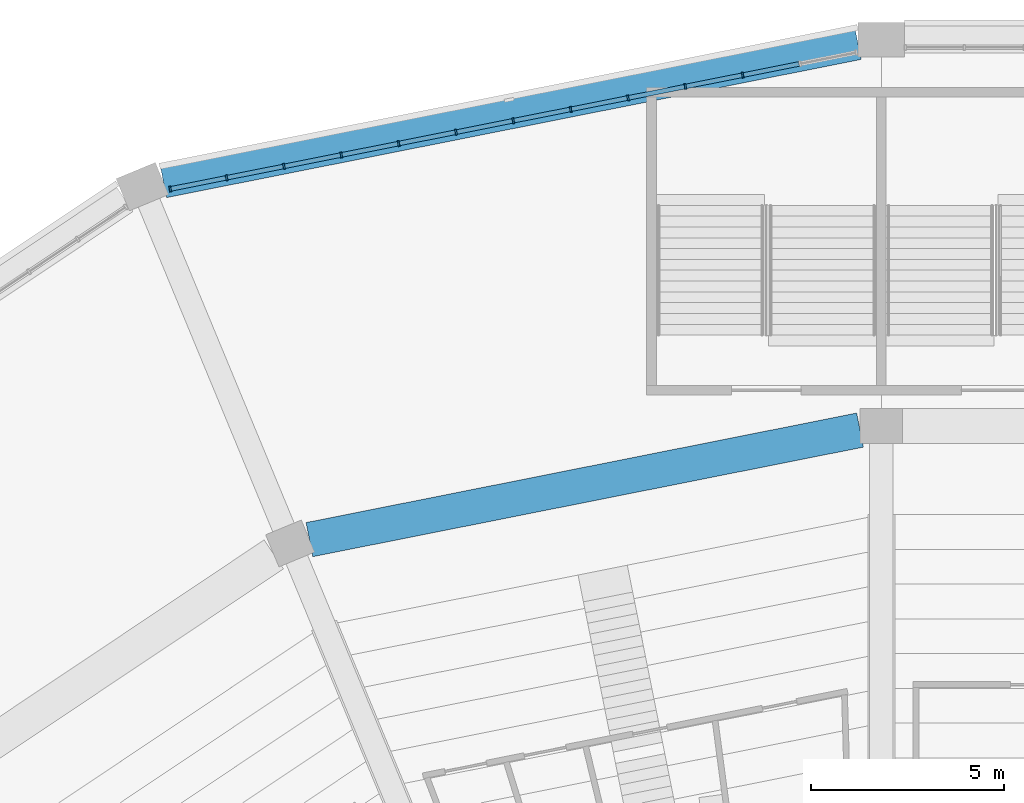
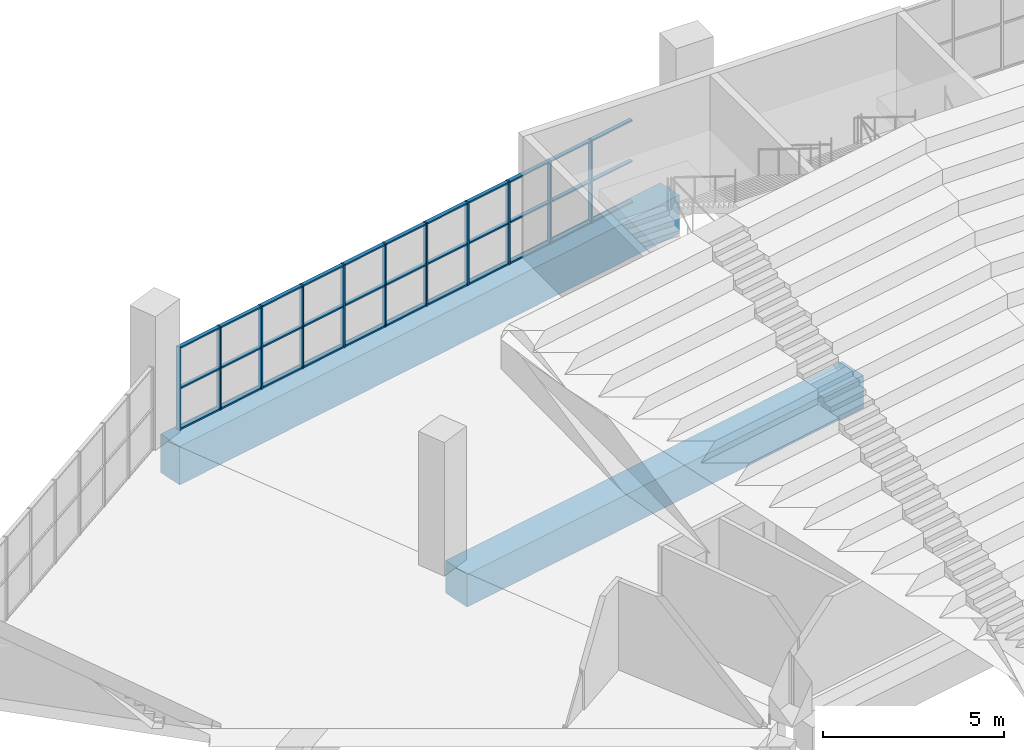
# One storey, part 49 of 249: 44 members, 2 beams, 1 element without a shape of its own.
"""IFC4 building model written with IfcOpenShell, lengths in metres."""

from ifc_helpers import new_model, si_unit, direction, frame, origin, origin_2d, place, context, subcontext, project, spatial, rectangle, extrude, material, material_profile, profile_set, type_object, element, aggregate, save


model = new_model("IFC4")

# Units and contexts
model_context = context("Model", 3, precision=1e-05, world=origin(), true_north=direction((0.0, 1.0)))
body_context = subcontext(model_context, "Body", "Model", "MODEL_VIEW")
ifc_project = project(units=[si_unit("LENGTHUNIT", "METRE"), si_unit("AREAUNIT", "SQUARE_METRE"), si_unit("VOLUMEUNIT", "CUBIC_METRE"), si_unit("PLANEANGLEUNIT", "RADIAN"), si_unit("MASSUNIT", "GRAM", prefix="KILO")], contexts=[model_context])

# Site, building, storey
site_placement = place(None, origin())
site = spatial("IfcSite", under=ifc_project, at=site_placement, CompositionType="ELEMENT")
building_placement = place(site_placement, origin())
building = spatial("IfcBuilding", under=site, at=building_placement, Name="Ogive Plaza Stadium", CompositionType="ELEMENT")
storey_placement = place(building_placement, frame((0.0, 0.0, 13.5)))
storey = spatial("IfcBuildingStorey", under=building, at=storey_placement, Name="L03", CompositionType="ELEMENT", Elevation=13.5)

# Curtain wall, members
ifc_material_1 = material(Name="Bronze-anodised aluminium with laminated glass", Category="aluminium")
curtain_wall_type = type_object("IfcCurtainWallType", Name="Lancet curtain wall", PredefinedType="NOTDEFINED", material=ifc_material_1)
curtain_wall_placement = place(storey_placement, origin())
curtain_wall = element("IfcCurtainWall", 1, at=curtain_wall_placement, inside=storey, type_object=curtain_wall_type, Name="CURTAIN WALL B31 L03", PredefinedType="NOTDEFINED")
ifc_material_2 = material(Name="Bronze-anodised aluminium", Category="aluminium")
ifc_material_profile_1 = material_profile(ifc_material_2, rectangle(XDim=0.14990234375, YDim=0.050048828125, at=origin_2d()), Name="AL 150x50")
ifc_profile_set_1 = profile_set([ifc_material_profile_1], Name="Bronze-anodised aluminium")
member_type_1 = type_object("IfcMemberType", Name="Curtain wall mullion 50x150", PredefinedType="MULLION", material=ifc_profile_set_1)
member_1_placement = place(storey_placement, frame((-52.412109375, 98.6337890625, 0.0), z_axis=(0.0, 0.0, 1.0), x_axis=(-0.195090322016, 0.980785280403, 0.0)))
member_1 = element("IfcMember", 2, at=member_1_placement, type_object=member_type_1, Name="CW-B31-L03 mullion 1", PredefinedType="MULLION", context=body_context, shape_type="SweptSolid", body=[
    extrude(rectangle(XDim=0.14990234375, YDim=0.050048828125, at=origin_2d()), origin(), (0.0, 0.0, 1.0), 2.7900390625),
])
member_2_placement = place(storey_placement, frame((-50.951904296875, 98.924072265625, 0.0), z_axis=(0.0, 0.0, 1.0), x_axis=(-0.195090322016, 0.980785280403, 0.0)))
member_2 = element("IfcMember", 3, at=member_2_placement, type_object=member_type_1, Name="CW-B31-L03 mullion 2", PredefinedType="MULLION", context=body_context, shape_type="SweptSolid", body=[
    extrude(rectangle(XDim=0.14990234375, YDim=0.050048828125, at=origin_2d()), origin(), (0.0, 0.0, 1.0), 2.7900390625),
])
member_3_placement = place(storey_placement, frame((-49.467041015625, 99.219482421875, 0.0), z_axis=(0.0, 0.0, 1.0), x_axis=(-0.195090322016, 0.980785280403, 0.0)))
member_3 = element("IfcMember", 4, at=member_3_placement, type_object=member_type_1, Name="CW-B31-L03 mullion 3", PredefinedType="MULLION", context=body_context, shape_type="SweptSolid", body=[
    extrude(rectangle(XDim=0.14990234375, YDim=0.050048828125, at=origin_2d()), origin(), (0.0, 0.0, 1.0), 2.7900390625),
])
member_4_placement = place(storey_placement, frame((-47.982421875, 99.514892578125, 0.0), z_axis=(0.0, 0.0, 1.0), x_axis=(-0.195090322016, 0.980785280403, 0.0)))
member_4 = element("IfcMember", 5, at=member_4_placement, type_object=member_type_1, Name="CW-B31-L03 mullion 4", PredefinedType="MULLION", context=body_context, shape_type="SweptSolid", body=[
    extrude(rectangle(XDim=0.14990234375, YDim=0.050048828125, at=origin_2d()), origin(), (0.0, 0.0, 1.0), 2.7900390625),
])
member_5_placement = place(storey_placement, frame((-46.49755859375, 99.81005859375, 0.0), z_axis=(0.0, 0.0, 1.0), x_axis=(-0.195090322016, 0.980785280403, 0.0)))
member_5 = element("IfcMember", 6, at=member_5_placement, type_object=member_type_1, Name="CW-B31-L03 mullion 5", PredefinedType="MULLION", context=body_context, shape_type="SweptSolid", body=[
    extrude(rectangle(XDim=0.14990234375, YDim=0.050048828125, at=origin_2d()), origin(), (0.0, 0.0, 1.0), 2.7900390625),
])
member_6_placement = place(storey_placement, frame((-45.012939453125, 100.10546875, 0.0), z_axis=(0.0, 0.0, 1.0), x_axis=(-0.195090322016, 0.980785280403, 0.0)))
member_6 = element("IfcMember", 7, at=member_6_placement, type_object=member_type_1, Name="CW-B31-L03 mullion 6", PredefinedType="MULLION", context=body_context, shape_type="SweptSolid", body=[
    extrude(rectangle(XDim=0.14990234375, YDim=0.050048828125, at=origin_2d()), origin(), (0.0, 0.0, 1.0), 2.7900390625),
])
member_7_placement = place(storey_placement, frame((-43.528076171875, 100.40087890625, 0.0), z_axis=(0.0, 0.0, 1.0), x_axis=(-0.195090322016, 0.980785280403, 0.0)))
member_7 = element("IfcMember", 8, at=member_7_placement, type_object=member_type_1, Name="CW-B31-L03 mullion 7", PredefinedType="MULLION", context=body_context, shape_type="SweptSolid", body=[
    extrude(rectangle(XDim=0.14990234375, YDim=0.050048828125, at=origin_2d()), origin(), (0.0, 0.0, 1.0), 2.7900390625),
])
member_8_placement = place(storey_placement, frame((-42.043212890625, 100.6962890625, 0.0), z_axis=(0.0, 0.0, 1.0), x_axis=(-0.195090322016, 0.980785280403, 0.0)))
member_8 = element("IfcMember", 9, at=member_8_placement, type_object=member_type_1, Name="CW-B31-L03 mullion 8", PredefinedType="MULLION", context=body_context, shape_type="SweptSolid", body=[
    extrude(rectangle(XDim=0.14990234375, YDim=0.050048828125, at=origin_2d()), origin(), (0.0, 0.0, 1.0), 2.7900390625),
])
member_9_placement = place(storey_placement, frame((-40.55859375, 100.991455078125, 0.0), z_axis=(0.0, 0.0, 1.0), x_axis=(-0.195090322016, 0.980785280403, 0.0)))
member_9 = element("IfcMember", 10, at=member_9_placement, type_object=member_type_1, Name="CW-B31-L03 mullion 9", PredefinedType="MULLION", context=body_context, shape_type="SweptSolid", body=[
    extrude(rectangle(XDim=0.14990234375, YDim=0.050048828125, at=origin_2d()), origin(), (0.0, 0.0, 1.0), 2.7900390625),
])
member_10_placement = place(storey_placement, frame((-39.07373046875, 101.286865234375, 0.0), z_axis=(0.0, 0.0, 1.0), x_axis=(-0.195090322016, 0.980785280403, 0.0)))
member_10 = element("IfcMember", 11, at=member_10_placement, type_object=member_type_1, Name="CW-B31-L03 mullion 10", PredefinedType="MULLION", context=body_context, shape_type="SweptSolid", body=[
    extrude(rectangle(XDim=0.14990234375, YDim=0.050048828125, at=origin_2d()), origin(), (0.0, 0.0, 1.0), 2.7900390625),
])
member_11_placement = place(storey_placement, frame((-37.589111328125, 101.582275390625, 0.0), z_axis=(0.0, 0.0, 1.0), x_axis=(-0.195090322016, 0.980785280403, 0.0)))
member_11 = element("IfcMember", 12, at=member_11_placement, type_object=member_type_1, Name="CW-B31-L03 mullion 11", PredefinedType="MULLION", context=body_context, shape_type="SweptSolid", body=[
    extrude(rectangle(XDim=0.14990234375, YDim=0.050048828125, at=origin_2d()), origin(), (0.0, 0.0, 1.0), 2.7900390625),
])
ifc_material_3 = material(Name="Bronze-anodised aluminium", Category="aluminium")
ifc_material_profile_2 = material_profile(ifc_material_3, rectangle(XDim=0.1201171875, YDim=0.050048828125, at=origin_2d()), Name="AL 120x50")
ifc_profile_set_2 = profile_set([ifc_material_profile_2], Name="Bronze-anodised aluminium")
member_type_2 = type_object("IfcMemberType", Name="Curtain wall transom 50x120", PredefinedType="USERDEFINED", material=ifc_profile_set_2)
member_12_placement = place(storey_placement, frame((-52.3876953125, 98.638671875, 0.02490234375), z_axis=(0.980814888552, 0.194941412722, 0.0), x_axis=(-0.194941412722, 0.980814888552, 0.0)))
member_12 = element("IfcMember", 13, at=member_12_placement, type_object=member_type_2, Name="CW-B31-L03 transom 1.1", ObjectType="TRANSOM", PredefinedType="USERDEFINED", context=body_context, shape_type="SweptSolid", body=[
    extrude(rectangle(XDim=0.1201171875, YDim=0.050048828125, at=origin_2d()), origin(), (0.0, 0.0, 1.0), 1.43896484375),
])
member_13_placement = place(storey_placement, frame((-52.3876953125, 98.638671875, 1.39501953125), z_axis=(0.980814888552, 0.194941412722, 0.0), x_axis=(-0.194941412722, 0.980814888552, 0.0)))
member_13 = element("IfcMember", 14, at=member_13_placement, type_object=member_type_2, Name="CW-B31-L03 transom 1.2", ObjectType="TRANSOM", PredefinedType="USERDEFINED", context=body_context, shape_type="SweptSolid", body=[
    extrude(rectangle(XDim=0.1201171875, YDim=0.050048828125, at=origin_2d()), origin(), (0.0, 0.0, 1.0), 1.43896484375),
])
member_14_placement = place(storey_placement, frame((-52.3876953125, 98.638671875, 2.764892578125), z_axis=(0.980814888552, 0.194941412722, 0.0), x_axis=(-0.194941412722, 0.980814888552, 0.0)))
member_14 = element("IfcMember", 15, at=member_14_placement, type_object=member_type_2, Name="CW-B31-L03 transom 1.3", ObjectType="TRANSOM", PredefinedType="USERDEFINED", context=body_context, shape_type="SweptSolid", body=[
    extrude(rectangle(XDim=0.1201171875, YDim=0.050048828125, at=origin_2d()), origin(), (0.0, 0.0, 1.0), 1.43896484375),
])
member_15_placement = place(storey_placement, frame((-50.92724609375, 98.928955078125, 0.02490234375), z_axis=(0.980772662828, 0.195153744134, 0.0), x_axis=(-0.195153744134, 0.980772662828, 0.0)))
member_15 = element("IfcMember", 16, at=member_15_placement, type_object=member_type_2, Name="CW-B31-L03 transom 2.1", ObjectType="TRANSOM", PredefinedType="USERDEFINED", context=body_context, shape_type="SweptSolid", body=[
    extrude(rectangle(XDim=0.1201171875, YDim=0.050048828125, at=origin_2d()), origin(), (0.0, 0.0, 1.0), 1.463623046875),
])
member_16_placement = place(storey_placement, frame((-50.92724609375, 98.928955078125, 1.39501953125), z_axis=(0.980772662828, 0.195153744134, 0.0), x_axis=(-0.195153744134, 0.980772662828, 0.0)))
member_16 = element("IfcMember", 17, at=member_16_placement, type_object=member_type_2, Name="CW-B31-L03 transom 2.2", ObjectType="TRANSOM", PredefinedType="USERDEFINED", context=body_context, shape_type="SweptSolid", body=[
    extrude(rectangle(XDim=0.1201171875, YDim=0.050048828125, at=origin_2d()), origin(), (0.0, 0.0, 1.0), 1.463623046875),
])
member_17_placement = place(storey_placement, frame((-50.92724609375, 98.928955078125, 2.764892578125), z_axis=(0.980772662828, 0.195153744134, 0.0), x_axis=(-0.195153744134, 0.980772662828, 0.0)))
member_17 = element("IfcMember", 18, at=member_17_placement, type_object=member_type_2, Name="CW-B31-L03 transom 2.3", ObjectType="TRANSOM", PredefinedType="USERDEFINED", context=body_context, shape_type="SweptSolid", body=[
    extrude(rectangle(XDim=0.1201171875, YDim=0.050048828125, at=origin_2d()), origin(), (0.0, 0.0, 1.0), 1.463623046875),
])
member_18_placement = place(storey_placement, frame((-49.442626953125, 99.224365234375, 0.02490234375), z_axis=(0.980779013771, 0.195121823859, 0.0), x_axis=(-0.195121823859, 0.980779013771, 0.0)))
member_18 = element("IfcMember", 19, at=member_18_placement, type_object=member_type_2, Name="CW-B31-L03 transom 3.1", ObjectType="TRANSOM", PredefinedType="USERDEFINED", context=body_context, shape_type="SweptSolid", body=[
    extrude(rectangle(XDim=0.1201171875, YDim=0.050048828125, at=origin_2d()), origin(), (0.0, 0.0, 1.0), 1.4638671875),
])
member_19_placement = place(storey_placement, frame((-49.442626953125, 99.224365234375, 1.39501953125), z_axis=(0.980779013771, 0.195121823859, 0.0), x_axis=(-0.195121823859, 0.980779013771, 0.0)))
member_19 = element("IfcMember", 20, at=member_19_placement, type_object=member_type_2, Name="CW-B31-L03 transom 3.2", ObjectType="TRANSOM", PredefinedType="USERDEFINED", context=body_context, shape_type="SweptSolid", body=[
    extrude(rectangle(XDim=0.1201171875, YDim=0.050048828125, at=origin_2d()), origin(), (0.0, 0.0, 1.0), 1.4638671875),
])
member_20_placement = place(storey_placement, frame((-49.442626953125, 99.224365234375, 2.764892578125), z_axis=(0.980779013771, 0.195121823859, 0.0), x_axis=(-0.195121823859, 0.980779013771, 0.0)))
member_20 = element("IfcMember", 21, at=member_20_placement, type_object=member_type_2, Name="CW-B31-L03 transom 3.3", ObjectType="TRANSOM", PredefinedType="USERDEFINED", context=body_context, shape_type="SweptSolid", body=[
    extrude(rectangle(XDim=0.1201171875, YDim=0.050048828125, at=origin_2d()), origin(), (0.0, 0.0, 1.0), 1.4638671875),
])
member_21_placement = place(storey_placement, frame((-47.957763671875, 99.519775390625, 0.02490234375), z_axis=(0.980804576136, 0.194993290732, 0.0), x_axis=(-0.194993290732, 0.980804576136, 0.0)))
member_21 = element("IfcMember", 22, at=member_21_placement, type_object=member_type_2, Name="CW-B31-L03 transom 4.1", ObjectType="TRANSOM", PredefinedType="USERDEFINED", context=body_context, shape_type="SweptSolid", body=[
    extrude(rectangle(XDim=0.1201171875, YDim=0.050048828125, at=origin_2d()), origin(), (0.0, 0.0, 1.0), 1.463623046875),
])
member_22_placement = place(storey_placement, frame((-47.957763671875, 99.519775390625, 1.39501953125), z_axis=(0.980804576136, 0.194993290732, 0.0), x_axis=(-0.194993290732, 0.980804576136, 0.0)))
member_22 = element("IfcMember", 23, at=member_22_placement, type_object=member_type_2, Name="CW-B31-L03 transom 4.2", ObjectType="TRANSOM", PredefinedType="USERDEFINED", context=body_context, shape_type="SweptSolid", body=[
    extrude(rectangle(XDim=0.1201171875, YDim=0.050048828125, at=origin_2d()), origin(), (0.0, 0.0, 1.0), 1.463623046875),
])
member_23_placement = place(storey_placement, frame((-47.957763671875, 99.519775390625, 2.764892578125), z_axis=(0.980804576136, 0.194993290732, 0.0), x_axis=(-0.194993290732, 0.980804576136, 0.0)))
member_23 = element("IfcMember", 24, at=member_23_placement, type_object=member_type_2, Name="CW-B31-L03 transom 4.3", ObjectType="TRANSOM", PredefinedType="USERDEFINED", context=body_context, shape_type="SweptSolid", body=[
    extrude(rectangle(XDim=0.1201171875, YDim=0.050048828125, at=origin_2d()), origin(), (0.0, 0.0, 1.0), 1.463623046875),
])
member_24_placement = place(storey_placement, frame((-46.47314453125, 99.81494140625, 0.02490234375), z_axis=(0.980779013771, 0.195121823859, 0.0), x_axis=(-0.195121823859, 0.980779013771, 0.0)))
member_24 = element("IfcMember", 25, at=member_24_placement, type_object=member_type_2, Name="CW-B31-L03 transom 5.1", ObjectType="TRANSOM", PredefinedType="USERDEFINED", context=body_context, shape_type="SweptSolid", body=[
    extrude(rectangle(XDim=0.1201171875, YDim=0.050048828125, at=origin_2d()), origin(), (0.0, 0.0, 1.0), 1.4638671875),
])
member_25_placement = place(storey_placement, frame((-46.47314453125, 99.81494140625, 1.39501953125), z_axis=(0.980779013771, 0.195121823859, 0.0), x_axis=(-0.195121823859, 0.980779013771, 0.0)))
member_25 = element("IfcMember", 26, at=member_25_placement, type_object=member_type_2, Name="CW-B31-L03 transom 5.2", ObjectType="TRANSOM", PredefinedType="USERDEFINED", context=body_context, shape_type="SweptSolid", body=[
    extrude(rectangle(XDim=0.1201171875, YDim=0.050048828125, at=origin_2d()), origin(), (0.0, 0.0, 1.0), 1.4638671875),
])
member_26_placement = place(storey_placement, frame((-46.47314453125, 99.81494140625, 2.764892578125), z_axis=(0.980779013771, 0.195121823859, 0.0), x_axis=(-0.195121823859, 0.980779013771, 0.0)))
member_26 = element("IfcMember", 27, at=member_26_placement, type_object=member_type_2, Name="CW-B31-L03 transom 5.3", ObjectType="TRANSOM", PredefinedType="USERDEFINED", context=body_context, shape_type="SweptSolid", body=[
    extrude(rectangle(XDim=0.1201171875, YDim=0.050048828125, at=origin_2d()), origin(), (0.0, 0.0, 1.0), 1.4638671875),
])
member_27_placement = place(storey_placement, frame((-44.98828125, 100.1103515625, 0.02490234375), z_axis=(0.980779013771, 0.195121823859, 0.0), x_axis=(-0.195121823859, 0.980779013771, 0.0)))
member_27 = element("IfcMember", 28, at=member_27_placement, type_object=member_type_2, Name="CW-B31-L03 transom 6.1", ObjectType="TRANSOM", PredefinedType="USERDEFINED", context=body_context, shape_type="SweptSolid", body=[
    extrude(rectangle(XDim=0.1201171875, YDim=0.050048828125, at=origin_2d()), origin(), (0.0, 0.0, 1.0), 1.4638671875),
])
member_28_placement = place(storey_placement, frame((-44.98828125, 100.1103515625, 1.39501953125), z_axis=(0.980779013771, 0.195121823859, 0.0), x_axis=(-0.195121823859, 0.980779013771, 0.0)))
member_28 = element("IfcMember", 29, at=member_28_placement, type_object=member_type_2, Name="CW-B31-L03 transom 6.2", ObjectType="TRANSOM", PredefinedType="USERDEFINED", context=body_context, shape_type="SweptSolid", body=[
    extrude(rectangle(XDim=0.1201171875, YDim=0.050048828125, at=origin_2d()), origin(), (0.0, 0.0, 1.0), 1.4638671875),
])
member_29_placement = place(storey_placement, frame((-44.98828125, 100.1103515625, 2.764892578125), z_axis=(0.980779013771, 0.195121823859, 0.0), x_axis=(-0.195121823859, 0.980779013771, 0.0)))
member_29 = element("IfcMember", 30, at=member_29_placement, type_object=member_type_2, Name="CW-B31-L03 transom 6.3", ObjectType="TRANSOM", PredefinedType="USERDEFINED", context=body_context, shape_type="SweptSolid", body=[
    extrude(rectangle(XDim=0.1201171875, YDim=0.050048828125, at=origin_2d()), origin(), (0.0, 0.0, 1.0), 1.4638671875),
])
member_30_placement = place(storey_placement, frame((-43.503662109375, 100.40576171875, 0.02490234375), z_axis=(0.980779013771, 0.195121823859, 0.0), x_axis=(-0.195121823859, 0.980779013771, 0.0)))
member_30 = element("IfcMember", 31, at=member_30_placement, type_object=member_type_2, Name="CW-B31-L03 transom 7.1", ObjectType="TRANSOM", PredefinedType="USERDEFINED", context=body_context, shape_type="SweptSolid", body=[
    extrude(rectangle(XDim=0.1201171875, YDim=0.050048828125, at=origin_2d()), origin(), (0.0, 0.0, 1.0), 1.4638671875),
])
member_31_placement = place(storey_placement, frame((-43.503662109375, 100.40576171875, 1.39501953125), z_axis=(0.980779013771, 0.195121823859, 0.0), x_axis=(-0.195121823859, 0.980779013771, 0.0)))
member_31 = element("IfcMember", 32, at=member_31_placement, type_object=member_type_2, Name="CW-B31-L03 transom 7.2", ObjectType="TRANSOM", PredefinedType="USERDEFINED", context=body_context, shape_type="SweptSolid", body=[
    extrude(rectangle(XDim=0.1201171875, YDim=0.050048828125, at=origin_2d()), origin(), (0.0, 0.0, 1.0), 1.4638671875),
])
member_32_placement = place(storey_placement, frame((-43.503662109375, 100.40576171875, 2.764892578125), z_axis=(0.980779013771, 0.195121823859, 0.0), x_axis=(-0.195121823859, 0.980779013771, 0.0)))
member_32 = element("IfcMember", 33, at=member_32_placement, type_object=member_type_2, Name="CW-B31-L03 transom 7.3", ObjectType="TRANSOM", PredefinedType="USERDEFINED", context=body_context, shape_type="SweptSolid", body=[
    extrude(rectangle(XDim=0.1201171875, YDim=0.050048828125, at=origin_2d()), origin(), (0.0, 0.0, 1.0), 1.4638671875),
])
member_33_placement = place(storey_placement, frame((-42.018798828125, 100.700927734375, 0.02490234375), z_axis=(0.980779013771, 0.195121823859, 0.0), x_axis=(-0.195121823859, 0.980779013771, 0.0)))
member_33 = element("IfcMember", 34, at=member_33_placement, type_object=member_type_2, Name="CW-B31-L03 transom 8.1", ObjectType="TRANSOM", PredefinedType="USERDEFINED", context=body_context, shape_type="SweptSolid", body=[
    extrude(rectangle(XDim=0.1201171875, YDim=0.050048828125, at=origin_2d()), origin(), (0.0, 0.0, 1.0), 1.4638671875),
])
member_34_placement = place(storey_placement, frame((-42.018798828125, 100.700927734375, 1.39501953125), z_axis=(0.980779013771, 0.195121823859, 0.0), x_axis=(-0.195121823859, 0.980779013771, 0.0)))
member_34 = element("IfcMember", 35, at=member_34_placement, type_object=member_type_2, Name="CW-B31-L03 transom 8.2", ObjectType="TRANSOM", PredefinedType="USERDEFINED", context=body_context, shape_type="SweptSolid", body=[
    extrude(rectangle(XDim=0.1201171875, YDim=0.050048828125, at=origin_2d()), origin(), (0.0, 0.0, 1.0), 1.4638671875),
])
member_35_placement = place(storey_placement, frame((-42.018798828125, 100.700927734375, 2.764892578125), z_axis=(0.980779013771, 0.195121823859, 0.0), x_axis=(-0.195121823859, 0.980779013771, 0.0)))
member_35 = element("IfcMember", 36, at=member_35_placement, type_object=member_type_2, Name="CW-B31-L03 transom 8.3", ObjectType="TRANSOM", PredefinedType="USERDEFINED", context=body_context, shape_type="SweptSolid", body=[
    extrude(rectangle(XDim=0.1201171875, YDim=0.050048828125, at=origin_2d()), origin(), (0.0, 0.0, 1.0), 1.4638671875),
])
member_36_placement = place(storey_placement, frame((-40.533935546875, 100.996337890625, 0.02490234375), z_axis=(0.980772662828, 0.195153744134, 0.0), x_axis=(-0.195153744134, 0.980772662828, 0.0)))
member_36 = element("IfcMember", 37, at=member_36_placement, type_object=member_type_2, Name="CW-B31-L03 transom 9.1", ObjectType="TRANSOM", PredefinedType="USERDEFINED", context=body_context, shape_type="SweptSolid", body=[
    extrude(rectangle(XDim=0.1201171875, YDim=0.050048828125, at=origin_2d()), origin(), (0.0, 0.0, 1.0), 1.463623046875),
])
member_37_placement = place(storey_placement, frame((-40.533935546875, 100.996337890625, 1.39501953125), z_axis=(0.980772662828, 0.195153744134, 0.0), x_axis=(-0.195153744134, 0.980772662828, 0.0)))
member_37 = element("IfcMember", 38, at=member_37_placement, type_object=member_type_2, Name="CW-B31-L03 transom 9.2", ObjectType="TRANSOM", PredefinedType="USERDEFINED", context=body_context, shape_type="SweptSolid", body=[
    extrude(rectangle(XDim=0.1201171875, YDim=0.050048828125, at=origin_2d()), origin(), (0.0, 0.0, 1.0), 1.463623046875),
])
member_38_placement = place(storey_placement, frame((-40.533935546875, 100.996337890625, 2.764892578125), z_axis=(0.980772662828, 0.195153744134, 0.0), x_axis=(-0.195153744134, 0.980772662828, 0.0)))
member_38 = element("IfcMember", 39, at=member_38_placement, type_object=member_type_2, Name="CW-B31-L03 transom 9.3", ObjectType="TRANSOM", PredefinedType="USERDEFINED", context=body_context, shape_type="SweptSolid", body=[
    extrude(rectangle(XDim=0.1201171875, YDim=0.050048828125, at=origin_2d()), origin(), (0.0, 0.0, 1.0), 1.463623046875),
])
member_39_placement = place(storey_placement, frame((-39.04931640625, 101.291748046875, 0.02490234375), z_axis=(0.980779013771, 0.195121823859, 0.0), x_axis=(-0.195121823859, 0.980779013771, 0.0)))
member_39 = element("IfcMember", 40, at=member_39_placement, type_object=member_type_2, Name="CW-B31-L03 transom 10.1", ObjectType="TRANSOM", PredefinedType="USERDEFINED", context=body_context, shape_type="SweptSolid", body=[
    extrude(rectangle(XDim=0.1201171875, YDim=0.050048828125, at=origin_2d()), origin(), (0.0, 0.0, 1.0), 1.4638671875),
])
member_40_placement = place(storey_placement, frame((-39.04931640625, 101.291748046875, 1.39501953125), z_axis=(0.980779013771, 0.195121823859, 0.0), x_axis=(-0.195121823859, 0.980779013771, 0.0)))
member_40 = element("IfcMember", 41, at=member_40_placement, type_object=member_type_2, Name="CW-B31-L03 transom 10.2", ObjectType="TRANSOM", PredefinedType="USERDEFINED", context=body_context, shape_type="SweptSolid", body=[
    extrude(rectangle(XDim=0.1201171875, YDim=0.050048828125, at=origin_2d()), origin(), (0.0, 0.0, 1.0), 1.4638671875),
])
member_41_placement = place(storey_placement, frame((-39.04931640625, 101.291748046875, 2.764892578125), z_axis=(0.980779013771, 0.195121823859, 0.0), x_axis=(-0.195121823859, 0.980779013771, 0.0)))
member_41 = element("IfcMember", 42, at=member_41_placement, type_object=member_type_2, Name="CW-B31-L03 transom 10.3", ObjectType="TRANSOM", PredefinedType="USERDEFINED", context=body_context, shape_type="SweptSolid", body=[
    extrude(rectangle(XDim=0.1201171875, YDim=0.050048828125, at=origin_2d()), origin(), (0.0, 0.0, 1.0), 1.4638671875),
])
member_42_placement = place(storey_placement, frame((-37.564453125, 101.587158203125, 0.02490234375), z_axis=(0.980804576136, 0.194993290732, 0.0), x_axis=(-0.194993290732, 0.980804576136, 0.0)))
member_42 = element("IfcMember", 43, at=member_42_placement, type_object=member_type_2, Name="CW-B31-L03 transom 11.1", ObjectType="TRANSOM", PredefinedType="USERDEFINED", context=body_context, shape_type="SweptSolid", body=[
    extrude(rectangle(XDim=0.1201171875, YDim=0.050048828125, at=origin_2d()), origin(), (0.0, 0.0, 1.0), 1.463623046875),
])
member_43_placement = place(storey_placement, frame((-37.564453125, 101.587158203125, 1.39501953125), z_axis=(0.980804576136, 0.194993290732, 0.0), x_axis=(-0.194993290732, 0.980804576136, 0.0)))
member_43 = element("IfcMember", 44, at=member_43_placement, type_object=member_type_2, Name="CW-B31-L03 transom 11.2", ObjectType="TRANSOM", PredefinedType="USERDEFINED", context=body_context, shape_type="SweptSolid", body=[
    extrude(rectangle(XDim=0.1201171875, YDim=0.050048828125, at=origin_2d()), origin(), (0.0, 0.0, 1.0), 1.463623046875),
])
member_44_placement = place(storey_placement, frame((-37.564453125, 101.587158203125, 2.764892578125), z_axis=(0.980804576136, 0.194993290732, 0.0), x_axis=(-0.194993290732, 0.980804576136, 0.0)))
member_44 = element("IfcMember", 45, at=member_44_placement, type_object=member_type_2, Name="CW-B31-L03 transom 11.3", ObjectType="TRANSOM", PredefinedType="USERDEFINED", context=body_context, shape_type="SweptSolid", body=[
    extrude(rectangle(XDim=0.1201171875, YDim=0.050048828125, at=origin_2d()), origin(), (0.0, 0.0, 1.0), 1.463623046875),
])
aggregate(curtain_wall, [member_1, member_2, member_3, member_4, member_5, member_6, member_7, member_8, member_9, member_10, member_11, member_12, member_13, member_14, member_15, member_16, member_17, member_18, member_19, member_20, member_21, member_22, member_23, member_24, member_25, member_26, member_27, member_28, member_29, member_30, member_31, member_32, member_33, member_34, member_35, member_36, member_37, member_38, member_39, member_40, member_41, member_42, member_43, member_44])

# Beams
ifc_material_4 = material(Name="Concrete C40/50", Category="concrete")
ifc_material_profile_3 = material_profile(ifc_material_4, rectangle(XDim=0.89990234375, YDim=1.10009765625, at=origin_2d()), Name="RC 900x1100")
ifc_profile_set_3 = profile_set([ifc_material_profile_3], Name="Concrete C40/50")
beam_type_1 = type_object("IfcBeamType", Name="RC ring beam 900x1100", PredefinedType="BEAM", material=ifc_profile_set_3)
beam_1_placement = place(storey_placement, frame((-48.807373046875, 89.5546875, -0.9599609375), z_axis=(0.980785551724, 0.195088957992, 0.0), x_axis=(-0.195088957992, 0.980785551724, 0.0)))
element("IfcBeam", 46, at=beam_1_placement, inside=storey, type_object=beam_type_1, Name="Ring beam F4 L03 B31", PredefinedType="BEAM", context=body_context, shape_type="SweptSolid", body=[
    extrude(rectangle(XDim=0.89990234375, YDim=1.10009765625, at=origin_2d()), origin(), (0.0, 0.0, 1.0), 14.53662109375),
])
ifc_material_5 = material(Name="Concrete C40/50", Category="concrete")
ifc_material_profile_4 = material_profile(ifc_material_5, rectangle(XDim=0.800048828125, YDim=1.300048828125, at=origin_2d()), Name="RC 800x1300")
ifc_profile_set_4 = profile_set([ifc_material_profile_4], Name="Concrete C40/50")
beam_type_2 = type_object("IfcBeamType", Name="RC spandrel beam 800x1300", PredefinedType="SPANDREL", material=ifc_profile_set_4)
beam_2_placement = place(storey_placement, frame((-52.584228515625, 98.803466796875, -1.06005859375), z_axis=(0.980786507619, 0.195084152283, 0.0), x_axis=(-0.195084152283, 0.980786507619, 0.0)))
element("IfcBeam", 47, at=beam_2_placement, inside=storey, type_object=beam_type_2, Name="Ring beam F5 L03 B31", PredefinedType="SPANDREL", context=body_context, shape_type="SweptSolid", body=[
    extrude(rectangle(XDim=0.800048828125, YDim=1.300048828125, at=origin_2d()), origin(), (0.0, 0.0, 1.0), 18.33642578125),
])

save(model, "model.ifc")
